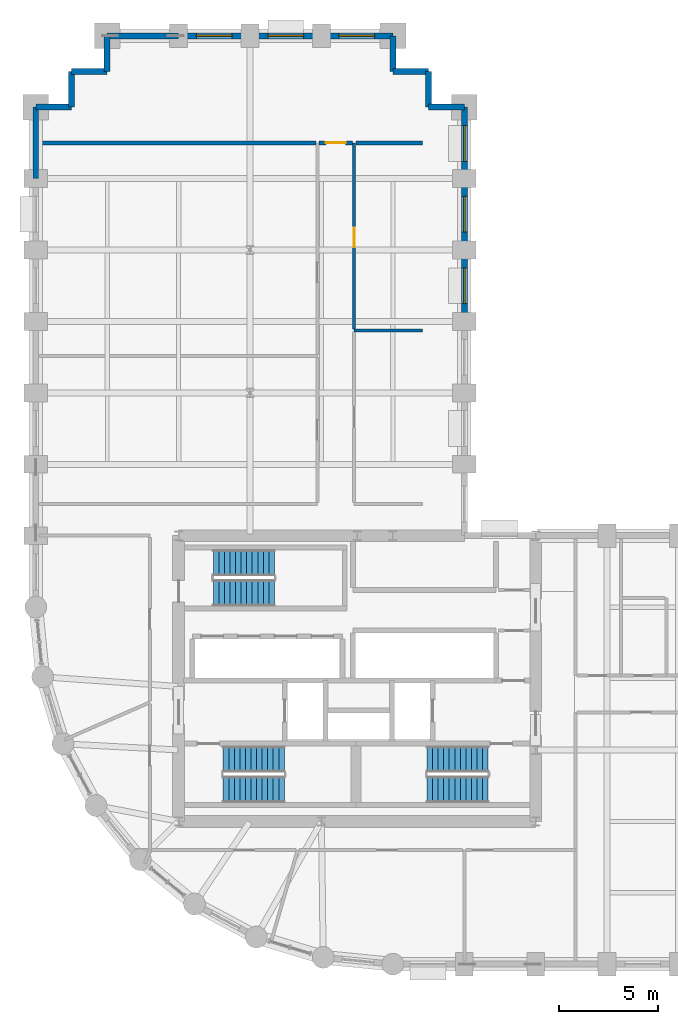
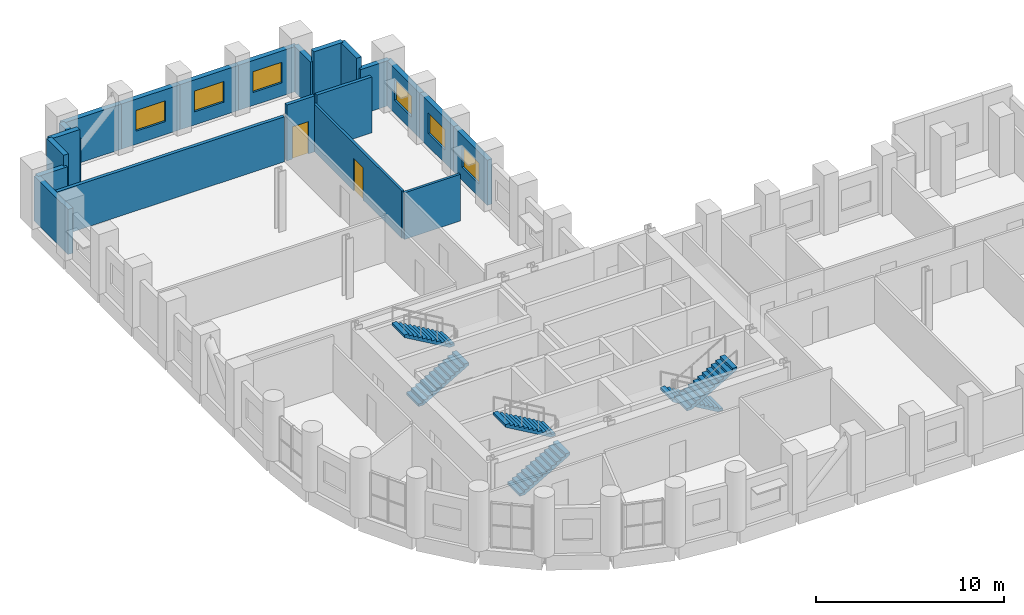
# One storey, part 11 of 13: 21 walls, 6 stair flights, 6 windows, 2 doors, 8 openings, 3 elements without a shape of their own.
"""IFC4 building model written with IfcOpenShell, lengths in metres."""

from ifc_helpers import new_model, si_unit, direction, frame, frame_2d, origin, place, context, subcontext, project, spatial, polyline, rectangle, outline, extrude, material, layer, layer_set, type_object, element, fill, aggregate, save


model = new_model("IFC4")

# Units and contexts
model_context = context("Model", 3, precision=1e-05, world=origin(), true_north=direction((0.0, 1.0)))
body_context = subcontext(model_context, "Body", "Model", "MODEL_VIEW")
ifc_project = project(units=[si_unit("LENGTHUNIT", "METRE"), si_unit("AREAUNIT", "SQUARE_METRE"), si_unit("VOLUMEUNIT", "CUBIC_METRE"), si_unit("PLANEANGLEUNIT", "RADIAN"), si_unit("MASSUNIT", "GRAM", prefix="KILO")], contexts=[model_context])

# Site, building, storey
site_placement = place(None, origin())
site = spatial("IfcSite", under=ifc_project, at=site_placement, CompositionType="ELEMENT")
building_placement = place(site_placement, origin())
building = spatial("IfcBuilding", under=site, at=building_placement, Name="Solnavia Interchange Tower", CompositionType="ELEMENT")
storey_placement = place(building_placement, frame((0.0, 0.0, 39.60009765625)))
storey = spatial("IfcBuildingStorey", under=building, at=storey_placement, Name="L09", CompositionType="ELEMENT", Elevation=39.60009765625)

# Walls
ifc_material_1 = material(Name="Gypsum Acoustic Twin-Stud & Mineral Wool", Category="gypsum")
ifc_layer_1 = layer(ifc_material_1, 0.199951171875)
ifc_layer_set_1 = layer_set([ifc_layer_1], Name="Gypsum Acoustic Twin-Stud & Mineral Wool")
wall_type_1 = type_object("IfcWallType", Name="Wall-ApartmentParty-200", PredefinedType="PARTITIONING", material=ifc_layer_set_1)
wall_1_placement = place(storey_placement, frame((7.35400390625, 45.0, 0.0), z_axis=(0.0, 0.0, 1.0), x_axis=(1.0, 0.0, 0.0)))
element("IfcWall", 1, at=wall_1_placement, inside=storey, type_object=wall_type_1, Name="PTW-L09-38 Interior partition wall", PredefinedType="PARTITIONING", context=body_context, shape_type="SweptSolid", body=[
    extrude(rectangle(XDim=13.967041015625, YDim=0.199951171875, at=frame_2d((6.9833984375, 0.0))), origin(), (0.0, 0.0, 1.0), 2.929931640625),
])
wall_2_placement = place(storey_placement, frame((23.3291015625, 45.0, 0.0), z_axis=(0.0, 0.0, 1.0), x_axis=(1.0, 0.0, 0.0)))
element("IfcWall", 2, at=wall_2_placement, inside=storey, type_object=wall_type_1, Name="PTW-L09-39 Interior partition wall", PredefinedType="PARTITIONING", context=body_context, shape_type="SweptSolid", body=[
    extrude(rectangle(XDim=3.370849609375, YDim=0.199951171875, at=frame_2d((1.685546875, 0.0))), origin(), (0.0, 0.0, 1.0), 3.635009765625),
])

# Wall, opening, door
wall_3_placement = place(storey_placement, frame((21.47900390625, 45.0, 0.0), z_axis=(0.0, 0.0, 1.0), x_axis=(1.0, 0.0, 0.0)))
wall_3 = element("IfcWall", 3, at=wall_3_placement, inside=storey, type_object=wall_type_1, Name="PTW-L09-40 Interior partition wall", PredefinedType="PARTITIONING", context=body_context, shape_type="SweptSolid", body=[
    extrude(rectangle(XDim=1.69189453125, YDim=0.199951171875, at=frame_2d((0.845947265625, 0.0))), origin(), (0.0, 0.0, 1.0), 3.635009765625),
])
opening_1_placement = place(wall_3_placement, frame((0.339111328125, 0.0, 0.0)))
opening_1 = element("IfcOpeningElement", 4, at=opening_1_placement, cuts=wall_3, Name="Opening DR-06", PredefinedType="OPENING", context=body_context, shape_type="SweptSolid", body=[
    extrude(rectangle(XDim=1.0, YDim=2.10009765625, at=frame_2d((0.5, 1.050048828125))), frame((0.0, 0.10986328125, 0.0), z_axis=(0.0, -1.0, 0.0), x_axis=(1.0, 0.0, 0.0)), (0.0, 0.0, 1.0), 0.219970703125),
])
ifc_material_2 = material(Name="Engineered Timber Acoustic Fire Door", Category="wood")
door_type_1 = type_object("IfcDoorType", Name="Door-FlatEntry-1000x2100", OperationType="SINGLE_SWING_LEFT", PredefinedType="DOOR", material=ifc_material_2)
door_1_placement = place(opening_1_placement, origin())
door_1 = element("IfcDoor", 5, at=door_1_placement, inside=storey, type_object=door_type_1, Name="DR-L09-19 Interior room door", OperationType="SINGLE_SWING_LEFT", OverallHeight=2.10009765625, OverallWidth=1.0, PredefinedType="DOOR", context=body_context, shape_type="SweptSolid", body=[
    extrude(rectangle(XDim=1.0, YDim=2.10009765625, at=frame_2d((0.5, 1.050048828125))), frame((0.0, 0.02490234375, 0.0), z_axis=(0.0, -1.0, 0.0), x_axis=(1.0, 0.0, 0.0)), (0.0, 0.0, 1.0), 0.050048828125),
])
fill(opening_1, door_1)

# Wall, opening, window
ifc_material_3 = material(Name="Concrete C40/50", Category="concrete")
ifc_layer_2 = layer(ifc_material_3, 0.300048828125)
ifc_layer_set_2 = layer_set([ifc_layer_2], Name="Concrete C40/50")
wall_type_2 = type_object("IfcWallType", Name="Wall-ExtSpandrel-300", PredefinedType="STANDARD", material=ifc_layer_set_2)
wall_4_placement = place(storey_placement, frame((28.800048828125, 36.0, 0.0), z_axis=(0.0, 0.0, 1.0), x_axis=(0.0, 1.0, 0.0)))
wall_4 = element("IfcWall", 6, at=wall_4_placement, inside=storey, type_object=wall_type_2, Name="EXW-L09-37 Exterior precast spandrel wall", PredefinedType="STANDARD", context=body_context, shape_type="SweptSolid", body=[
    extrude(rectangle(XDim=3.60009765625, YDim=0.300048828125, at=frame_2d((1.800048828125, 0.0))), origin(), (0.0, 0.0, 1.0), 2.929931640625),
])
opening_2_placement = place(wall_4_placement, frame((0.89990234375, 0.0, 0.85009765625)))
opening_2 = element("IfcOpeningElement", 7, at=opening_2_placement, cuts=wall_4, Name="Opening WIN-02", PredefinedType="OPENING", context=body_context, shape_type="SweptSolid", body=[
    extrude(rectangle(XDim=1.800048828125, YDim=1.35009765625, at=frame_2d((0.89990234375, 0.675048828125))), frame((0.0, 0.16015625, 0.0), z_axis=(0.0, -1.0, 0.0), x_axis=(1.0, 0.0, 0.0)), (0.0, 0.0, 1.0), 0.320068359375),
])
ifc_material_4 = material(Name="Thermal-Break Aluminium & Low-E Glass", Category="aluminium")
window_type = type_object("IfcWindowType", Name="Window-Ribbon-1800x1350", PartitioningType="SINGLE_PANEL", PredefinedType="WINDOW", material=ifc_material_4)
window_1_placement = place(opening_2_placement, origin())
window_1 = element("IfcWindow", 8, at=window_1_placement, inside=storey, type_object=window_type, Name="WIN-L09-37 Facade ribbon window", OverallHeight=1.35009765625, OverallWidth=1.800048828125, PartitioningType="SINGLE_PANEL", PredefinedType="WINDOW", context=body_context, shape_type="SweptSolid", body=[
    extrude(rectangle(XDim=1.800048828125, YDim=1.35009765625, at=frame_2d((0.89990234375, 0.675048828125))), frame((0.0, 0.030029296875, 0.0), z_axis=(0.0, -1.0, 0.0), x_axis=(1.0, 0.0, 0.0)), (0.0, 0.0, 1.0), 0.06005859375),
])
fill(opening_2, window_1)

wall_5_placement = place(storey_placement, frame((28.800048828125, 39.60009765625, 0.0), z_axis=(0.0, 0.0, 1.0), x_axis=(0.0, 1.0, 0.0)))
wall_5 = element("IfcWall", 9, at=wall_5_placement, inside=storey, type_object=wall_type_2, Name="EXW-L09-38 Exterior precast spandrel wall", PredefinedType="STANDARD", context=body_context, shape_type="SweptSolid", body=[
    extrude(rectangle(XDim=3.599853515625, YDim=0.300048828125, at=frame_2d((1.7998046875, 0.0))), origin(), (0.0, 0.0, 1.0), 2.929931640625),
])
opening_3_placement = place(wall_5_placement, frame((0.89990234375, 0.0, 0.85009765625)))
opening_3 = element("IfcOpeningElement", 10, at=opening_3_placement, cuts=wall_5, Name="Opening WIN-02", PredefinedType="OPENING", context=body_context, shape_type="SweptSolid", body=[
    extrude(rectangle(XDim=1.800048828125, YDim=1.35009765625, at=frame_2d((0.89990234375, 0.675048828125))), frame((0.0, 0.16015625, 0.0), z_axis=(0.0, -1.0, 0.0), x_axis=(1.0, 0.0, 0.0)), (0.0, 0.0, 1.0), 0.320068359375),
])
window_2_placement = place(opening_3_placement, origin())
window_2 = element("IfcWindow", 11, at=window_2_placement, inside=storey, type_object=window_type, Name="WIN-L09-38 Facade ribbon window", OverallHeight=1.35009765625, OverallWidth=1.800048828125, PartitioningType="SINGLE_PANEL", PredefinedType="WINDOW", context=body_context, shape_type="SweptSolid", body=[
    extrude(rectangle(XDim=1.800048828125, YDim=1.35009765625, at=frame_2d((0.89990234375, 0.675048828125))), frame((0.0, 0.030029296875, 0.0), z_axis=(0.0, -1.0, 0.0), x_axis=(1.0, 0.0, 0.0)), (0.0, 0.0, 1.0), 0.06005859375),
])
fill(opening_3, window_2)

wall_6_placement = place(storey_placement, frame((28.800048828125, 43.199951171875, 0.0), z_axis=(0.0, 0.0, 1.0), x_axis=(0.0, 1.0, 0.0)))
wall_6 = element("IfcWall", 12, at=wall_6_placement, inside=storey, type_object=wall_type_2, Name="EXW-L09-39 Exterior precast spandrel wall", PredefinedType="STANDARD", context=body_context, shape_type="SweptSolid", body=[
    extrude(rectangle(XDim=3.60009765625, YDim=0.300048828125, at=frame_2d((1.800048828125, 0.0))), origin(), (0.0, 0.0, 1.0), 2.929931640625),
])
opening_4_placement = place(wall_6_placement, frame((0.875, 0.0, 0.85009765625)))
opening_4 = element("IfcOpeningElement", 13, at=opening_4_placement, cuts=wall_6, Name="Opening WIN-02", PredefinedType="OPENING", context=body_context, shape_type="SweptSolid", body=[
    extrude(rectangle(XDim=1.800048828125, YDim=1.35009765625, at=frame_2d((0.89990234375, 0.675048828125))), frame((0.0, 0.16015625, 0.0), z_axis=(0.0, -1.0, 0.0), x_axis=(1.0, 0.0, 0.0)), (0.0, 0.0, 1.0), 0.320068359375),
])
window_3_placement = place(opening_4_placement, origin())
window_3 = element("IfcWindow", 14, at=window_3_placement, inside=storey, type_object=window_type, Name="WIN-L09-39 Facade ribbon window", OverallHeight=1.35009765625, OverallWidth=1.800048828125, PartitioningType="SINGLE_PANEL", PredefinedType="WINDOW", context=body_context, shape_type="SweptSolid", body=[
    extrude(rectangle(XDim=1.800048828125, YDim=1.35009765625, at=frame_2d((0.89990234375, 0.675048828125))), frame((0.0, 0.030029296875, 0.0), z_axis=(0.0, -1.0, 0.0), x_axis=(1.0, 0.0, 0.0)), (0.0, 0.0, 1.0), 0.06005859375),
])
fill(opening_4, window_3)

# Walls
wall_7_placement = place(storey_placement, frame((27.0, 46.800048828125, 0.0), z_axis=(0.0, 0.0, 1.0), x_axis=(1.0, 0.0, 0.0)))
element("IfcWall", 15, at=wall_7_placement, inside=storey, type_object=wall_type_2, Name="EXW-L09-40 Exterior precast spandrel wall", PredefinedType="STANDARD", context=body_context, shape_type="SweptSolid", body=[
    extrude(rectangle(XDim=1.800048828125, YDim=0.300048828125, at=frame_2d((0.89990234375, 0.0))), origin(), (0.0, 0.0, 1.0), 2.929931640625),
])
for number, where, z_axis, x_axis, name in (
    (16, (27.0, 46.800048828125, 0.0), (0.0, 0.0, 1.0), (0.0, 1.0, 0.0), "EXW-L09-41 Exterior precast spandrel wall"),
    (17, (25.199951171875, 48.60009765625, 0.0), (0.0, 0.0, 1.0), (1.0, 0.0, 0.0), "EXW-L09-42 Exterior precast spandrel wall"),
):
    element("IfcWall", number, at=place(storey_placement, frame(where, z_axis=z_axis, x_axis=x_axis)), inside=storey, type_object=wall_type_2, Name=name, PredefinedType="STANDARD", context=body_context, shape_type="SweptSolid", body=[
        extrude(rectangle(XDim=1.800048828125, YDim=0.300048828125, at=frame_2d((0.89990234375, 0.0))), origin(), (0.0, 0.0, 1.0), 3.635009765625),
    ])
wall_8_placement = place(storey_placement, frame((25.199951171875, 48.60009765625, 0.0), z_axis=(0.0, 0.0, 1.0), x_axis=(0.0, 1.0, 0.0)))
element("IfcWall", 18, at=wall_8_placement, inside=storey, type_object=wall_type_2, Name="EXW-L09-43 Exterior precast spandrel wall", PredefinedType="STANDARD", context=body_context, shape_type="SweptSolid", body=[
    extrude(rectangle(XDim=1.7998046875, YDim=0.300048828125, at=frame_2d((0.89990234375, 0.0))), origin(), (0.0, 0.0, 1.0), 2.929931640625),
])

# Wall, opening, window
wall_9_placement = place(storey_placement, frame((21.60009765625, 50.39990234375, 0.0), z_axis=(0.0, 0.0, 1.0), x_axis=(1.0, 0.0, 0.0)))
wall_9 = element("IfcWall", 19, at=wall_9_placement, inside=storey, type_object=wall_type_2, Name="EXW-L09-44 Exterior precast spandrel wall", PredefinedType="STANDARD", context=body_context, shape_type="SweptSolid", body=[
    extrude(rectangle(XDim=3.599853515625, YDim=0.300048828125, at=frame_2d((1.7998046875, 0.0))), origin(), (0.0, 0.0, 1.0), 2.929931640625),
])
opening_5_placement = place(wall_9_placement, frame((0.875, 0.0, 0.85009765625)))
opening_5 = element("IfcOpeningElement", 20, at=opening_5_placement, cuts=wall_9, Name="Opening WIN-02", PredefinedType="OPENING", context=body_context, shape_type="SweptSolid", body=[
    extrude(rectangle(XDim=1.800048828125, YDim=1.35009765625, at=frame_2d((0.89990234375, 0.675048828125))), frame((0.0, 0.16015625, 0.0), z_axis=(0.0, -1.0, 0.0), x_axis=(1.0, 0.0, 0.0)), (0.0, 0.0, 1.0), 0.320068359375),
])
window_4_placement = place(opening_5_placement, origin())
window_4 = element("IfcWindow", 21, at=window_4_placement, inside=storey, type_object=window_type, Name="WIN-L09-44 Facade ribbon window", OverallHeight=1.35009765625, OverallWidth=1.800048828125, PartitioningType="SINGLE_PANEL", PredefinedType="WINDOW", context=body_context, shape_type="SweptSolid", body=[
    extrude(rectangle(XDim=1.800048828125, YDim=1.35009765625, at=frame_2d((0.89990234375, 0.675048828125))), frame((0.0, 0.030029296875, 0.0), z_axis=(0.0, -1.0, 0.0), x_axis=(1.0, 0.0, 0.0)), (0.0, 0.0, 1.0), 0.06005859375),
])
fill(opening_5, window_4)

wall_10_placement = place(storey_placement, frame((18.0, 50.39990234375, 0.0), z_axis=(0.0, 0.0, 1.0), x_axis=(1.0, 0.0, 0.0)))
wall_10 = element("IfcWall", 22, at=wall_10_placement, inside=storey, type_object=wall_type_2, Name="EXW-L09-45 Exterior precast spandrel wall", PredefinedType="STANDARD", context=body_context, shape_type="SweptSolid", body=[
    extrude(rectangle(XDim=3.60009765625, YDim=0.300048828125, at=frame_2d((1.800048828125, 0.0))), origin(), (0.0, 0.0, 1.0), 2.929931640625),
])
opening_6_placement = place(wall_10_placement, frame((0.89990234375, 0.0, 0.85009765625)))
opening_6 = element("IfcOpeningElement", 23, at=opening_6_placement, cuts=wall_10, Name="Opening WIN-02", PredefinedType="OPENING", context=body_context, shape_type="SweptSolid", body=[
    extrude(rectangle(XDim=1.800048828125, YDim=1.35009765625, at=frame_2d((0.89990234375, 0.675048828125))), frame((0.0, 0.16015625, 0.0), z_axis=(0.0, -1.0, 0.0), x_axis=(1.0, 0.0, 0.0)), (0.0, 0.0, 1.0), 0.320068359375),
])
window_5_placement = place(opening_6_placement, origin())
window_5 = element("IfcWindow", 24, at=window_5_placement, inside=storey, type_object=window_type, Name="WIN-L09-45 Facade ribbon window", OverallHeight=1.35009765625, OverallWidth=1.800048828125, PartitioningType="SINGLE_PANEL", PredefinedType="WINDOW", context=body_context, shape_type="SweptSolid", body=[
    extrude(rectangle(XDim=1.800048828125, YDim=1.35009765625, at=frame_2d((0.89990234375, 0.675048828125))), frame((0.0, 0.030029296875, 0.0), z_axis=(0.0, -1.0, 0.0), x_axis=(1.0, 0.0, 0.0)), (0.0, 0.0, 1.0), 0.06005859375),
])
fill(opening_6, window_5)

wall_11_placement = place(storey_placement, frame((14.39990234375, 50.39990234375, 0.0), z_axis=(0.0, 0.0, 1.0), x_axis=(1.0, 0.0, 0.0)))
wall_11 = element("IfcWall", 25, at=wall_11_placement, inside=storey, type_object=wall_type_2, Name="EXW-L09-46 Exterior precast spandrel wall", PredefinedType="STANDARD", context=body_context, shape_type="SweptSolid", body=[
    extrude(rectangle(XDim=3.60009765625, YDim=0.300048828125, at=frame_2d((1.800048828125, 0.0))), origin(), (0.0, 0.0, 1.0), 2.929931640625),
])
opening_7_placement = place(wall_11_placement, frame((0.89990234375, 0.0, 0.85009765625)))
opening_7 = element("IfcOpeningElement", 26, at=opening_7_placement, cuts=wall_11, Name="Opening WIN-02", PredefinedType="OPENING", context=body_context, shape_type="SweptSolid", body=[
    extrude(rectangle(XDim=1.800048828125, YDim=1.35009765625, at=frame_2d((0.89990234375, 0.675048828125))), frame((0.0, 0.16015625, 0.0), z_axis=(0.0, -1.0, 0.0), x_axis=(1.0, 0.0, 0.0)), (0.0, 0.0, 1.0), 0.320068359375),
])
window_6_placement = place(opening_7_placement, origin())
window_6 = element("IfcWindow", 27, at=window_6_placement, inside=storey, type_object=window_type, Name="WIN-L09-46 Facade ribbon window", OverallHeight=1.35009765625, OverallWidth=1.800048828125, PartitioningType="SINGLE_PANEL", PredefinedType="WINDOW", context=body_context, shape_type="SweptSolid", body=[
    extrude(rectangle(XDim=1.800048828125, YDim=1.35009765625, at=frame_2d((0.89990234375, 0.675048828125))), frame((0.0, 0.030029296875, 0.0), z_axis=(0.0, -1.0, 0.0), x_axis=(1.0, 0.0, 0.0)), (0.0, 0.0, 1.0), 0.06005859375),
])
fill(opening_7, window_6)

# Walls
wall_12_placement = place(storey_placement, frame((10.800048828125, 50.39990234375, 0.0), z_axis=(0.0, 0.0, 1.0), x_axis=(1.0, 0.0, 0.0)))
element("IfcWall", 28, at=wall_12_placement, inside=storey, type_object=wall_type_2, Name="EXW-L09-47 Exterior precast spandrel wall", PredefinedType="STANDARD", context=body_context, shape_type="SweptSolid", body=[
    extrude(rectangle(XDim=3.599853515625, YDim=0.300048828125, at=frame_2d((1.7998046875, 0.0))), origin(), (0.0, 0.0, 1.0), 2.929931640625),
])
wall_13_placement = place(storey_placement, frame((10.800048828125, 48.60009765625, 0.0), z_axis=(0.0, 0.0, 1.0), x_axis=(0.0, 1.0, 0.0)))
element("IfcWall", 29, at=wall_13_placement, inside=storey, type_object=wall_type_2, Name="EXW-L09-48 Exterior precast spandrel wall", PredefinedType="STANDARD", context=body_context, shape_type="SweptSolid", body=[
    extrude(rectangle(XDim=1.7998046875, YDim=0.300048828125, at=frame_2d((0.89990234375, 0.0))), origin(), (0.0, 0.0, 1.0), 2.929931640625),
])
for number, where, z_axis, x_axis, name in (
    (30, (9.0, 48.60009765625, 0.0), (0.0, 0.0, 1.0), (1.0, 0.0, 0.0), "EXW-L09-49 Exterior precast spandrel wall"),
    (31, (9.0, 46.800048828125, 0.0), (0.0, 0.0, 1.0), (0.0, 1.0, 0.0), "EXW-L09-50 Exterior precast spandrel wall"),
):
    element("IfcWall", number, at=place(storey_placement, frame(where, z_axis=z_axis, x_axis=x_axis)), inside=storey, type_object=wall_type_2, Name=name, PredefinedType="STANDARD", context=body_context, shape_type="SweptSolid", body=[
        extrude(rectangle(XDim=1.800048828125, YDim=0.300048828125, at=frame_2d((0.89990234375, 0.0))), origin(), (0.0, 0.0, 1.0), 3.635009765625),
    ])
wall_14_placement = place(storey_placement, frame((7.199951171875, 46.800048828125, 0.0), z_axis=(0.0, 0.0, 1.0), x_axis=(1.0, 0.0, 0.0)))
element("IfcWall", 32, at=wall_14_placement, inside=storey, type_object=wall_type_2, Name="EXW-L09-51 Exterior precast spandrel wall", PredefinedType="STANDARD", context=body_context, shape_type="SweptSolid", body=[
    extrude(rectangle(XDim=1.800048828125, YDim=0.300048828125, at=frame_2d((0.89990234375, 0.0))), origin(), (0.0, 0.0, 1.0), 2.929931640625),
])
wall_15_placement = place(storey_placement, frame((7.199951171875, 43.199951171875, 0.0), z_axis=(0.0, 0.0, 1.0), x_axis=(0.0, 1.0, 0.0)))
element("IfcWall", 33, at=wall_15_placement, inside=storey, type_object=wall_type_2, Name="EXW-L09-52 Exterior precast spandrel wall", PredefinedType="STANDARD", context=body_context, shape_type="SweptSolid", body=[
    extrude(rectangle(XDim=3.60009765625, YDim=0.300048828125, at=frame_2d((1.800048828125, 0.0))), origin(), (0.0, 0.0, 1.0), 2.929931640625),
])
ifc_material_5 = material(Name="Gypsum Plasterboard & Steel Stud", Category="steel")
ifc_layer_3 = layer(ifc_material_5, 0.14990234375)
ifc_layer_set_3 = layer_set([ifc_layer_3], Name="Gypsum Plasterboard & Steel Stud")
wall_type_3 = type_object("IfcWallType", Name="Wall-Partition-150", PredefinedType="PARTITIONING", material=ifc_layer_set_3)
wall_16_placement = place(storey_placement, frame((23.25, 35.5400390625, 0.0), z_axis=(0.0, 0.0, 1.0), x_axis=(1.0, 0.0, 0.0)))
element("IfcWall", 34, at=wall_16_placement, inside=storey, type_object=wall_type_3, Name="PTW-L09-35 Interior partition wall", PredefinedType="PARTITIONING", context=body_context, shape_type="SweptSolid", body=[
    extrude(rectangle(XDim=3.449951171875, YDim=0.14990234375, at=frame_2d((1.72509765625, 0.0))), origin(), (0.0, 0.0, 1.0), 3.02978515625),
])

# Wall, opening, door
wall_17_placement = place(storey_placement, frame((23.25, 35.618896484375, 0.0), z_axis=(0.0, 0.0, 1.0), x_axis=(0.0, 1.0, 0.0)))
wall_17 = element("IfcWall", 35, at=wall_17_placement, inside=storey, type_object=wall_type_3, Name="PTW-L09-37 Interior partition wall", PredefinedType="PARTITIONING", context=body_context, shape_type="SweptSolid", body=[
    extrude(rectangle(XDim=9.381103515625, YDim=0.14990234375, at=frame_2d((4.6904296875, 0.0))), origin(), (0.0, 0.0, 1.0), 3.079833984375),
])
opening_8_placement = place(wall_17_placement, frame((4.111083984375, 0.0, 0.0)))
opening_8 = element("IfcOpeningElement", 36, at=opening_8_placement, cuts=wall_17, Name="Opening DR-07", PredefinedType="OPENING", context=body_context, shape_type="SweptSolid", body=[
    extrude(rectangle(XDim=1.0, YDim=2.10009765625, at=frame_2d((0.5, 1.050048828125))), frame((0.0, 0.0849609375, 0.0), z_axis=(0.0, -1.0, 0.0), x_axis=(1.0, 0.0, 0.0)), (0.0, 0.0, 1.0), 0.169921875),
])
ifc_material_6 = material(Name="Timber & Acoustic Glazed Office Door", Category="wood")
door_type_2 = type_object("IfcDoorType", Name="Door-Office-1000x2100", OperationType="SINGLE_SWING_RIGHT", PredefinedType="DOOR", material=ifc_material_6)
door_2_placement = place(opening_8_placement, origin())
door_2 = element("IfcDoor", 37, at=door_2_placement, inside=storey, type_object=door_type_2, Name="DR-L09-18 Interior room door", OperationType="SINGLE_SWING_LEFT", OverallHeight=2.10009765625, OverallWidth=1.0, PredefinedType="DOOR", context=body_context, shape_type="SweptSolid", body=[
    extrude(rectangle(XDim=1.0, YDim=2.10009765625, at=frame_2d((0.5, 1.050048828125))), frame((0.0, 0.02490234375, 0.0), z_axis=(0.0, -1.0, 0.0), x_axis=(1.0, 0.0, 0.0)), (0.0, 0.0, 1.0), 0.050048828125),
])
fill(opening_8, door_2)

# Stair, stair flights
stair_type = type_object("IfcStairType", Name="Stair-Dogleg-RC", PredefinedType="HALF_TURN_STAIR", material=ifc_material_3)
stair_1_placement = place(storey_placement, origin())
stair_1 = element("IfcStair", 38, at=stair_1_placement, inside=storey, type_object=stair_type, Name="L09 Core exit stair 1", PredefinedType="HALF_TURN_STAIR")
stair_flight_type = type_object("IfcStairFlightType", Name="StairFlight-RC-150", PredefinedType="STRAIGHT", material=ifc_material_3)
stair_flight_1_placement = place(storey_placement, frame((16.64990234375, 12.409912109375, 0.0), z_axis=(0.0, 0.0, 1.0), x_axis=(1.0, 0.0, 0.0)))
stair_flight_1 = element("IfcStairFlight", 39, at=stair_flight_1_placement, type_object=stair_flight_type, Name="ST-1 flight 1", NumberOfRisers=12, NumberOfTreads=11, PredefinedType="STRAIGHT", RiserHeight=0.1625, TreadLength=0.28, context=body_context, shape_type="SweptSolid", body=[
    extrude(outline(polyline([(0.0, 0.0), (0.0, 0.16259765625), (0.280029296875, 0.16259765625), (0.280029296875, 0.324951171875), (0.56005859375, 0.324951171875), (0.56005859375, 0.487548828125), (0.840087890625, 0.487548828125), (0.840087890625, 0.64990234375), (1.1201171875, 0.64990234375), (1.1201171875, 0.8125), (1.39990234375, 0.8125), (1.39990234375, 0.97509765625), (1.679931640625, 0.97509765625), (1.679931640625, 1.137451171875), (1.9599609375, 1.137451171875), (1.9599609375, 1.300048828125), (2.239990234375, 1.300048828125), (2.239990234375, 1.46240234375), (2.52001953125, 1.46240234375), (2.52001953125, 1.625), (2.800048828125, 1.625), (2.800048828125, 1.78759765625), (3.080078125, 1.78759765625), (3.080078125, 1.949951171875), (3.080078125, 1.6142578125), (0.298583984375, 0.0), (0.0, 0.0)])), frame((0.0, 0.66015625, 0.0), z_axis=(0.0, -1.0, 0.0), x_axis=(1.0, 0.0, 0.0)), (0.0, 0.0, 1.0), 1.320068359375),
])
stair_flight_2_placement = place(storey_placement, frame((19.72998046875, 13.929931640625, 1.949951171875), z_axis=(0.0, 0.0, 1.0), x_axis=(-1.0, 0.0, 0.0)))
stair_flight_2 = element("IfcStairFlight", 40, at=stair_flight_2_placement, type_object=stair_flight_type, Name="ST-1 flight 2", NumberOfRisers=12, NumberOfTreads=11, PredefinedType="STRAIGHT", RiserHeight=0.1625, TreadLength=0.28, context=body_context, shape_type="SweptSolid", body=[
    extrude(outline(polyline([(0.0, 0.0), (0.0, 0.16259765625), (0.280029296875, 0.16259765625), (0.280029296875, 0.324951171875), (0.56005859375, 0.324951171875), (0.56005859375, 0.487548828125), (0.840087890625, 0.487548828125), (0.840087890625, 0.64990234375), (1.1201171875, 0.64990234375), (1.1201171875, 0.8125), (1.39990234375, 0.8125), (1.39990234375, 0.97509765625), (1.679931640625, 0.97509765625), (1.679931640625, 1.137451171875), (1.9599609375, 1.137451171875), (1.9599609375, 1.300048828125), (2.239990234375, 1.300048828125), (2.239990234375, 1.46240234375), (2.52001953125, 1.46240234375), (2.52001953125, 1.625), (2.800048828125, 1.625), (2.800048828125, 1.78759765625), (3.080078125, 1.78759765625), (3.080078125, 1.949951171875), (3.080078125, 1.6142578125), (0.298583984375, 0.0), (0.0, 0.0)])), frame((0.0, 0.66015625, 0.0), z_axis=(0.0, -1.0, 0.0), x_axis=(1.0, 0.0, 0.0)), (0.0, 0.0, 1.0), 1.320068359375),
])
aggregate(stair_1, [stair_flight_1, stair_flight_2])

stair_2_placement = place(storey_placement, origin())
stair_2 = element("IfcStair", 41, at=stair_2_placement, inside=storey, type_object=stair_type, Name="L09 Core exit stair 2", PredefinedType="HALF_TURN_STAIR")
stair_flight_3_placement = place(storey_placement, frame((30.0, 13.929931640625, 0.0), z_axis=(0.0, 0.0, 1.0), x_axis=(-1.0, 0.0, 0.0)))
stair_flight_3 = element("IfcStairFlight", 42, at=stair_flight_3_placement, type_object=stair_flight_type, Name="ST-2 flight 1", NumberOfRisers=12, NumberOfTreads=11, PredefinedType="STRAIGHT", RiserHeight=0.1625, TreadLength=0.28, context=body_context, shape_type="SweptSolid", body=[
    extrude(outline(polyline([(0.0, 0.0), (0.0, 0.16259765625), (0.280029296875, 0.16259765625), (0.280029296875, 0.324951171875), (0.56005859375, 0.324951171875), (0.56005859375, 0.487548828125), (0.840087890625, 0.487548828125), (0.840087890625, 0.64990234375), (1.1201171875, 0.64990234375), (1.1201171875, 0.8125), (1.39990234375, 0.8125), (1.39990234375, 0.97509765625), (1.679931640625, 0.97509765625), (1.679931640625, 1.137451171875), (1.9599609375, 1.137451171875), (1.9599609375, 1.300048828125), (2.239990234375, 1.300048828125), (2.239990234375, 1.46240234375), (2.52001953125, 1.46240234375), (2.52001953125, 1.625), (2.800048828125, 1.625), (2.800048828125, 1.78759765625), (3.080078125, 1.78759765625), (3.080078125, 1.949951171875), (3.080078125, 1.6142578125), (0.298583984375, 0.0), (0.0, 0.0)])), frame((0.0, 0.66015625, 0.0), z_axis=(0.0, -1.0, 0.0), x_axis=(1.0, 0.0, 0.0)), (0.0, 0.0, 1.0), 1.320068359375),
])
stair_flight_4_placement = place(storey_placement, frame((26.919921875, 12.409912109375, 1.949951171875), z_axis=(0.0, 0.0, 1.0), x_axis=(1.0, 0.0, 0.0)))
stair_flight_4 = element("IfcStairFlight", 43, at=stair_flight_4_placement, type_object=stair_flight_type, Name="ST-2 flight 2", NumberOfRisers=12, NumberOfTreads=11, PredefinedType="STRAIGHT", RiserHeight=0.1625, TreadLength=0.28, context=body_context, shape_type="SweptSolid", body=[
    extrude(outline(polyline([(0.0, 0.0), (0.0, 0.16259765625), (0.280029296875, 0.16259765625), (0.280029296875, 0.324951171875), (0.56005859375, 0.324951171875), (0.56005859375, 0.487548828125), (0.840087890625, 0.487548828125), (0.840087890625, 0.64990234375), (1.1201171875, 0.64990234375), (1.1201171875, 0.8125), (1.39990234375, 0.8125), (1.39990234375, 0.97509765625), (1.679931640625, 0.97509765625), (1.679931640625, 1.137451171875), (1.9599609375, 1.137451171875), (1.9599609375, 1.300048828125), (2.239990234375, 1.300048828125), (2.239990234375, 1.46240234375), (2.52001953125, 1.46240234375), (2.52001953125, 1.625), (2.800048828125, 1.625), (2.800048828125, 1.78759765625), (3.080078125, 1.78759765625), (3.080078125, 1.949951171875), (3.080078125, 1.6142578125), (0.298583984375, 0.0), (0.0, 0.0)])), frame((0.0, 0.66015625, 0.0), z_axis=(0.0, -1.0, 0.0), x_axis=(1.0, 0.0, 0.0)), (0.0, 0.0, 1.0), 1.320068359375),
])
aggregate(stair_2, [stair_flight_3, stair_flight_4])

stair_3_placement = place(storey_placement, origin())
stair_3 = element("IfcStair", 44, at=stair_3_placement, inside=storey, type_object=stair_type, Name="L09 Core exit stair 3", PredefinedType="HALF_TURN_STAIR")
stair_flight_5_placement = place(storey_placement, frame((16.14990234375, 22.31005859375, 0.0), z_axis=(0.0, 0.0, 1.0), x_axis=(1.0, 0.0, 0.0)))
stair_flight_5 = element("IfcStairFlight", 45, at=stair_flight_5_placement, type_object=stair_flight_type, Name="ST-3 flight 1", NumberOfRisers=12, NumberOfTreads=11, PredefinedType="STRAIGHT", RiserHeight=0.1625, TreadLength=0.28, context=body_context, shape_type="SweptSolid", body=[
    extrude(outline(polyline([(0.0, 0.0), (0.0, 0.16259765625), (0.280029296875, 0.16259765625), (0.280029296875, 0.324951171875), (0.56005859375, 0.324951171875), (0.56005859375, 0.487548828125), (0.840087890625, 0.487548828125), (0.840087890625, 0.64990234375), (1.1201171875, 0.64990234375), (1.1201171875, 0.8125), (1.39990234375, 0.8125), (1.39990234375, 0.97509765625), (1.679931640625, 0.97509765625), (1.679931640625, 1.137451171875), (1.9599609375, 1.137451171875), (1.9599609375, 1.300048828125), (2.239990234375, 1.300048828125), (2.239990234375, 1.46240234375), (2.52001953125, 1.46240234375), (2.52001953125, 1.625), (2.800048828125, 1.625), (2.800048828125, 1.78759765625), (3.080078125, 1.78759765625), (3.080078125, 1.949951171875), (3.080078125, 1.6142578125), (0.298583984375, 0.0), (0.0, 0.0)])), frame((0.0, 0.66015625, 0.0), z_axis=(0.0, -1.0, 0.0), x_axis=(1.0, 0.0, 0.0)), (0.0, 0.0, 1.0), 1.320068359375),
])
stair_flight_6_placement = place(storey_placement, frame((19.22998046875, 23.830078125, 1.949951171875), z_axis=(0.0, 0.0, 1.0), x_axis=(-1.0, 0.0, 0.0)))
stair_flight_6 = element("IfcStairFlight", 46, at=stair_flight_6_placement, type_object=stair_flight_type, Name="ST-3 flight 2", NumberOfRisers=12, NumberOfTreads=11, PredefinedType="STRAIGHT", RiserHeight=0.1625, TreadLength=0.28, context=body_context, shape_type="SweptSolid", body=[
    extrude(outline(polyline([(0.0, 0.0), (0.0, 0.16259765625), (0.280029296875, 0.16259765625), (0.280029296875, 0.324951171875), (0.56005859375, 0.324951171875), (0.56005859375, 0.487548828125), (0.840087890625, 0.487548828125), (0.840087890625, 0.64990234375), (1.1201171875, 0.64990234375), (1.1201171875, 0.8125), (1.39990234375, 0.8125), (1.39990234375, 0.97509765625), (1.679931640625, 0.97509765625), (1.679931640625, 1.137451171875), (1.9599609375, 1.137451171875), (1.9599609375, 1.300048828125), (2.239990234375, 1.300048828125), (2.239990234375, 1.46240234375), (2.52001953125, 1.46240234375), (2.52001953125, 1.625), (2.800048828125, 1.625), (2.800048828125, 1.78759765625), (3.080078125, 1.78759765625), (3.080078125, 1.949951171875), (3.080078125, 1.6142578125), (0.298583984375, 0.0), (0.0, 0.0)])), frame((0.0, 0.66015625, 0.0), z_axis=(0.0, -1.0, 0.0), x_axis=(1.0, 0.0, 0.0)), (0.0, 0.0, 1.0), 1.320068359375),
])
aggregate(stair_3, [stair_flight_5, stair_flight_6])

save(model, "model.ifc")
